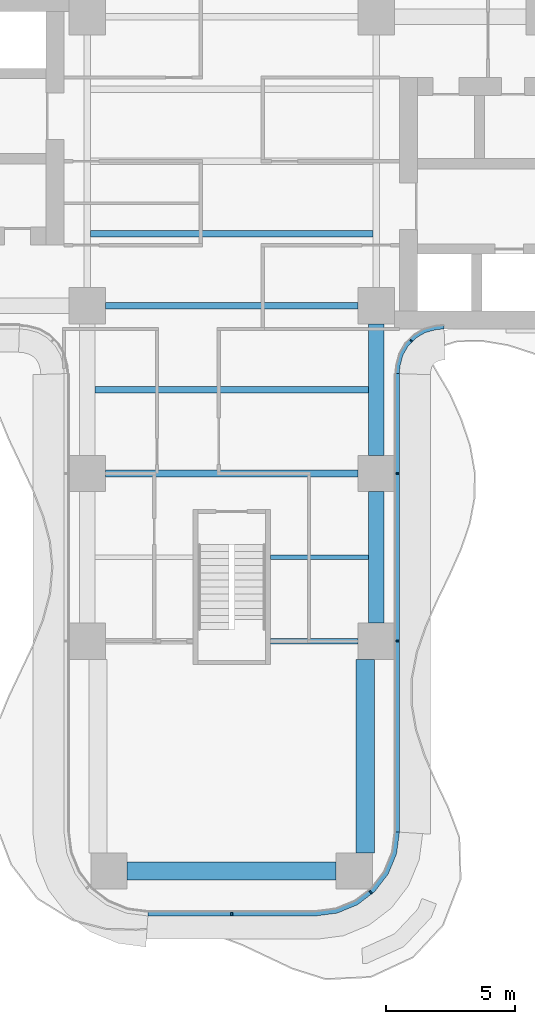
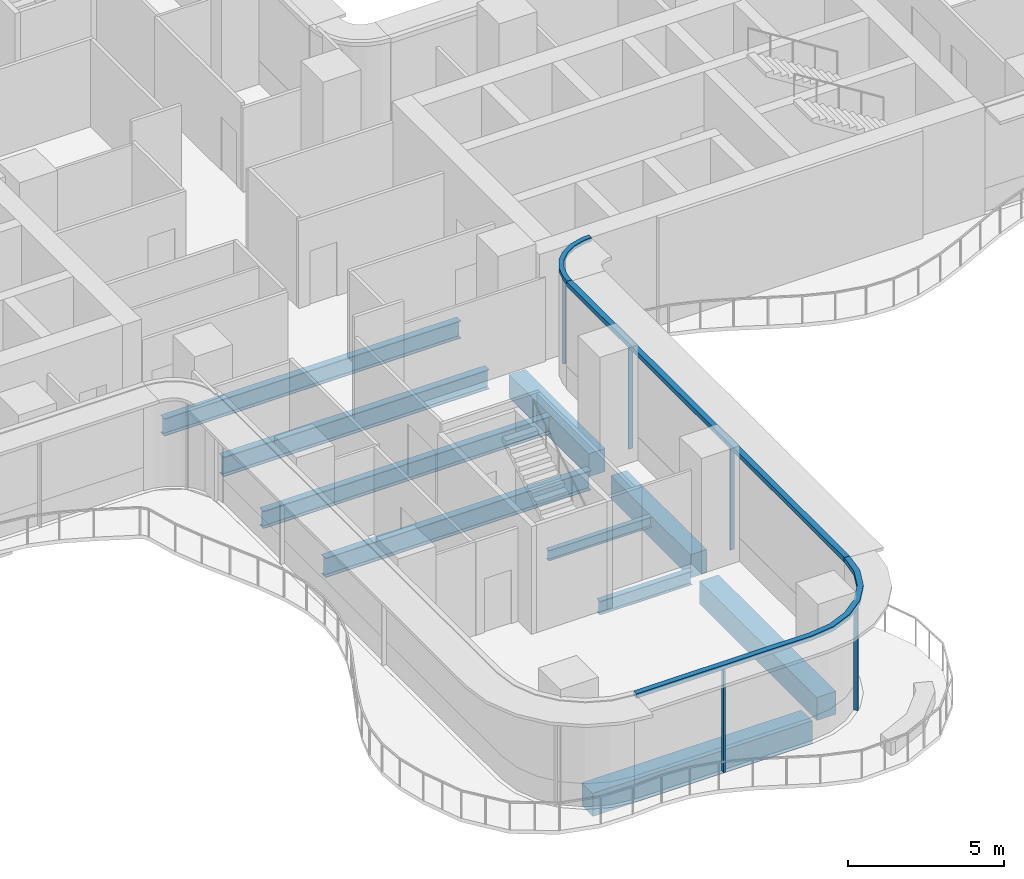
# One storey, part 5 of 22: 10 beams, 8 members, 3 elements without a shape of their own.
"""IFC4 building model written with IfcOpenShell, lengths in metres."""

from ifc_helpers import new_model, si_unit, direction, frame, origin, origin_2d, place, context, subcontext, project, spatial, polyline, rectangle, i_section, outline, extrude, source, transform, mapped, material, layer, layer_set, material_profile, profile_set, type_object, element, aggregate, save


model = new_model("IFC4")

# Units and contexts
model_context = context("Model", 3, precision=1e-05, world=origin(), true_north=direction((0.0, 1.0)))
body_context = subcontext(model_context, "Body", "Model", "MODEL_VIEW")
ifc_project = project(units=[si_unit("LENGTHUNIT", "METRE"), si_unit("AREAUNIT", "SQUARE_METRE"), si_unit("VOLUMEUNIT", "CUBIC_METRE"), si_unit("PLANEANGLEUNIT", "RADIAN"), si_unit("MASSUNIT", "GRAM", prefix="KILO")], contexts=[model_context])

# Site, building, storey
site_placement = place(None, origin())
site = spatial("IfcSite", under=ifc_project, at=site_placement, CompositionType="ELEMENT")
building_placement = place(site_placement, origin())
building = spatial("IfcBuilding", under=site, at=building_placement, Name="Trellis Farm Tower", CompositionType="ELEMENT")
storey_placement = place(building_placement, frame((0.0, 0.0, 88.0)))
storey = spatial("IfcBuildingStorey", under=building, at=storey_placement, Name="L18", CompositionType="ELEMENT", Elevation=88.0)

# Beams
ifc_material_1 = material(Name="Steel S355", Category="steel")
ifc_material_profile_1 = material_profile(ifc_material_1, i_section(OverallWidth=0.253662109375, OverallDepth=0.68359375, WebThickness=0.012451171875, FlangeThickness=0.021728515625, FilletRadius=0.01513671875, at=origin_2d()), Name="UB 686x254x140")
ifc_profile_set_1 = profile_set([ifc_material_profile_1], Name="Steel S355")
beam_type_1 = type_object("IfcBeamType", Name="UB 686x254x140 joist", PredefinedType="JOIST", material=ifc_profile_set_1)
shared_shape_1 = source(origin(), body_context, "Body", "SweptSolid", [
    extrude(i_section(OverallWidth=0.253662109375, OverallDepth=0.68359375, WebThickness=0.012451171875, FlangeThickness=0.021728515625, FilletRadius=0.01513671875, at=origin_2d()), origin(), (0.0, 0.0, 1.0), 10.93310546875),
])
beam_1_placement = place(storey_placement, frame((-5.466552734375, -2.800048828125, -0.591796875), z_axis=(1.0, 0.0, 0.0), x_axis=(0.0, 1.0, 0.0)))
element("IfcBeam", 1, at=beam_1_placement, inside=storey, type_object=beam_type_1, Name="Floor beam", PredefinedType="JOIST", context=body_context, shape_type="MappedRepresentation", body=[
    mapped(shared_shape_1, transform((0.0, 0.0, 0.0))),
])
ifc_material_profile_2 = material_profile(ifc_material_1, i_section(OverallWidth=0.209228515625, OverallDepth=0.533203125, WebThickness=0.010009765625, FlangeThickness=0.015625, FilletRadius=0.0126953125, at=origin_2d()), Name="UB 533x210x92")
ifc_profile_set_2 = profile_set([ifc_material_profile_2], Name="Steel S355")
beam_type_2 = type_object("IfcBeamType", Name="UB 533x210x92", PredefinedType="BEAM", material=ifc_profile_set_2)
shared_shape_2 = source(origin(), body_context, "Body", "SweptSolid", [
    extrude(i_section(OverallWidth=0.209228515625, OverallDepth=0.533203125, WebThickness=0.010009765625, FlangeThickness=0.015625, FilletRadius=0.0126953125, at=origin_2d()), origin(), (0.0, 0.0, 1.0), 3.39990234375),
])
beam_2_placement = place(storey_placement, frame((1.5, -18.60009765625, -0.5166015625), z_axis=(1.0, 0.0, 0.0), x_axis=(0.0, 1.0, 0.0)))
element("IfcBeam", 2, at=beam_2_placement, inside=storey, type_object=beam_type_2, Name="Girder", PredefinedType="BEAM", context=body_context, shape_type="MappedRepresentation", body=[
    mapped(shared_shape_2, transform((0.0, 0.0, 0.0))),
])
ifc_material_2 = material(Name="Concrete C60/75", Category="concrete")
ifc_material_profile_3 = material_profile(ifc_material_2, rectangle(XDim=0.60009765625, YDim=0.89990234375, at=origin_2d()), Name="RC spandrel beam 600x900 C60/75")
ifc_profile_set_3 = profile_set([ifc_material_profile_3], Name="Concrete C60/75")
beam_type_3 = type_object("IfcBeamType", Name="RC spandrel beam 600x900 C60/75", PredefinedType="SPANDREL", material=ifc_profile_set_3)
shared_shape_3 = source(origin(), body_context, "Body", "SweptSolid", [
    extrude(rectangle(XDim=0.60009765625, YDim=0.89990234375, at=origin_2d()), origin(), (0.0, 0.0, 1.0), 5.099853515625),
])
for number, where, z_axis, x_axis, name in (
    (3, (5.60009765625, -17.89990234375, -0.699951171875), (0.0, 1.0, 0.0), (-1.0, 0.0, 0.0), "Girder"),
    (4, (5.60009765625, -11.39990234375, -0.699951171875), (0.0, 1.0, 0.0), (-1.0, 0.0, 0.0), "Girder"),
):
    element("IfcBeam", number, at=place(storey_placement, frame(where, z_axis=z_axis, x_axis=x_axis)), inside=storey, type_object=beam_type_3, Name=name, PredefinedType="SPANDREL", context=body_context, shape_type="MappedRepresentation", body=[
        mapped(shared_shape_3, transform((0.0, 0.0, 0.0))),
    ])
ifc_material_profile_4 = material_profile(ifc_material_1, i_section(OverallWidth=0.2666015625, OverallDepth=0.76220703125, WebThickness=0.014404296875, FlangeThickness=0.021484375, FilletRadius=0.0166015625, at=origin_2d()), Name="UB 762x267x173")
ifc_profile_set_4 = profile_set([ifc_material_profile_4], Name="Steel S355")
beam_type_4 = type_object("IfcBeamType", Name="UB 762x267x173", PredefinedType="BEAM", material=ifc_profile_set_4)
shared_shape_4 = source(origin(), body_context, "Body", "SweptSolid", [
    extrude(i_section(OverallWidth=0.2666015625, OverallDepth=0.76220703125, WebThickness=0.014404296875, FlangeThickness=0.021484375, FilletRadius=0.0166015625, at=origin_2d()), origin(), (0.0, 0.0, 1.0), 9.7998046875),
])
for number, where, z_axis, x_axis, name in (
    (5, (-4.89990234375, -12.10009765625, -0.631103515625), (1.0, 0.0, 0.0), (0.0, 1.0, 0.0), "Girder"),
    (6, (-4.89990234375, -5.60009765625, -0.631103515625), (1.0, 0.0, 0.0), (0.0, 1.0, 0.0), "Girder"),
):
    element("IfcBeam", number, at=place(storey_placement, frame(where, z_axis=z_axis, x_axis=x_axis)), inside=storey, type_object=beam_type_4, Name=name, PredefinedType="BEAM", context=body_context, shape_type="MappedRepresentation", body=[
        mapped(shared_shape_4, transform((0.0, 0.0, 0.0))),
    ])
ifc_material_profile_5 = material_profile(ifc_material_2, rectangle(XDim=0.699951171875, YDim=0.89990234375, at=origin_2d()), Name="RC spandrel beam 700x900 C60/75")
ifc_profile_set_5 = profile_set([ifc_material_profile_5], Name="Concrete C60/75")
beam_type_5 = type_object("IfcBeamType", Name="RC spandrel beam 700x900 C60/75", PredefinedType="SPANDREL", material=ifc_profile_set_5)
shared_shape_5 = source(origin(), body_context, "Body", "SweptSolid", [
    extrude(rectangle(XDim=0.699951171875, YDim=0.89990234375, at=origin_2d()), origin(), (0.0, 0.0, 1.0), 8.10009765625),
])
beam_3_placement = place(storey_placement, frame((-4.050048828125, -27.5, -0.699951171875), z_axis=(1.0, 0.0, 0.0), x_axis=(0.0, 1.0, 0.0)))
element("IfcBeam", 7, at=beam_3_placement, inside=storey, type_object=beam_type_5, Name="Girder", PredefinedType="SPANDREL", context=body_context, shape_type="MappedRepresentation", body=[
    mapped(shared_shape_5, transform((0.0, 0.0, 0.0))),
])
shared_shape_6 = source(origin(), body_context, "Body", "SweptSolid", [
    extrude(rectangle(XDim=0.699951171875, YDim=0.89990234375, at=origin_2d()), origin(), (0.0, 0.0, 1.0), 7.5),
])
beam_4_placement = place(storey_placement, frame((5.175048828125, -26.800048828125, -0.699951171875), z_axis=(0.0, 1.0, 0.0), x_axis=(-1.0, 0.0, 0.0)))
element("IfcBeam", 8, at=beam_4_placement, inside=storey, type_object=beam_type_5, Name="Girder", PredefinedType="SPANDREL", context=body_context, shape_type="MappedRepresentation", body=[
    mapped(shared_shape_6, transform((0.0, 0.0, 0.0))),
])
ifc_material_profile_6 = material_profile(ifc_material_1, i_section(OverallWidth=0.177978515625, OverallDepth=0.406494140625, WebThickness=0.0078125, FlangeThickness=0.0126953125, FilletRadius=0.01025390625, at=origin_2d()), Name="UB 406x178x60")
ifc_profile_set_6 = profile_set([ifc_material_profile_6], Name="Steel S355")
beam_type_6 = type_object("IfcBeamType", Name="UB 406x178x60 joist", PredefinedType="JOIST", material=ifc_profile_set_6)
shared_shape_7 = source(origin(), body_context, "Body", "SweptSolid", [
    extrude(i_section(OverallWidth=0.177978515625, OverallDepth=0.406494140625, WebThickness=0.0078125, FlangeThickness=0.0126953125, FilletRadius=0.01025390625, at=origin_2d()), origin(), (0.0, 0.0, 1.0), 3.800048828125),
])
beam_5_placement = place(storey_placement, frame((1.5, -15.35009765625, -0.453125), z_axis=(1.0, 0.0, 0.0), x_axis=(0.0, 1.0, 0.0)))
element("IfcBeam", 9, at=beam_5_placement, inside=storey, type_object=beam_type_6, Name="Floor beam", PredefinedType="JOIST", context=body_context, shape_type="MappedRepresentation", body=[
    mapped(shared_shape_7, transform((0.0, 0.0, 0.0))),
])
shared_shape_8 = source(origin(), body_context, "Body", "SweptSolid", [
    extrude(i_section(OverallWidth=0.253662109375, OverallDepth=0.68359375, WebThickness=0.012451171875, FlangeThickness=0.021728515625, FilletRadius=0.01513671875, at=origin_2d()), origin(), (0.0, 0.0, 1.0), 10.60009765625),
])
beam_6_placement = place(storey_placement, frame((-5.300048828125, -8.85009765625, -0.591796875), z_axis=(1.0, 0.0, 0.0), x_axis=(0.0, 1.0, 0.0)))
element("IfcBeam", 10, at=beam_6_placement, inside=storey, type_object=beam_type_1, Name="Floor beam", PredefinedType="JOIST", context=body_context, shape_type="MappedRepresentation", body=[
    mapped(shared_shape_8, transform((0.0, 0.0, 0.0))),
])

# Curtain wall, member
ifc_material_3 = material(Name="Aluminium and glass curtain wall", Category="aluminium")
ifc_layer_1 = layer(ifc_material_3, 0.18994140625)
ifc_layer_set_1 = layer_set([ifc_layer_1], Name="RIBBON CURTAIN WALL CW1")
curtain_wall_type_1 = type_object("IfcCurtainWallType", Name="RIBBON CURTAIN WALL CW1", PredefinedType="NOTDEFINED", material=ifc_layer_set_1)
placement_1 = place(storey_placement, origin())
curtain_wall_1 = element("IfcCurtainWall", 11, at=placement_1, inside=storey, type_object=curtain_wall_type_1, Name="CW1 003", PredefinedType="NOTDEFINED")
ifc_material_4 = material(Name="Aluminium extrusion 6063-T6", Category="aluminium")
ifc_layer_2 = layer(ifc_material_4, 0.199951171875)
ifc_layer_set_2 = layer_set([ifc_layer_2], Name="Aluminium extrusion 6063-T6")
member_type_1 = type_object("IfcMemberType", Name="CW1 TRANSOM 200x180", PredefinedType="USERDEFINED", material=ifc_layer_set_2)
shared_shape_9 = source(origin(), body_context, "Body", "SweptSolid", [
    extrude(outline(polyline([(-3.25, -29.25), (3.25, -29.25), (4.091064453125, -29.13916015625), (4.875, -28.814697265625), (5.548095703125, -28.298095703125), (6.064697265625, -27.625), (6.38916015625, -26.841064453125), (6.5, -26.0), (6.300048828125, -25.98681640625), (6.1943359375, -26.7890625), (5.889892578125, -27.524169921875), (5.405517578125, -28.155517578125), (4.774169921875, -28.639892578125), (4.0390625, -28.9443359375), (3.23681640625, -29.050048828125), (-3.23681640625, -29.050048828125), (-3.25, -29.25)])), origin(), (0.0, 0.0, 1.0), 0.179931640625),
])
placement_2 = place(storey_placement, frame((0.0, 0.0, 4.02001953125)))
member_1 = element("IfcMember", 12, at=placement_2, type_object=member_type_1, Name="TR1 003", ObjectType="TRANSOM", PredefinedType="USERDEFINED", context=body_context, shape_type="MappedRepresentation", body=[
    mapped(shared_shape_9, transform((0.0, 0.0, 0.0))),
])

curtain_wall_2 = element("IfcCurtainWall", 13, at=placement_1, inside=storey, type_object=curtain_wall_type_1, Name="CW1 004", PredefinedType="NOTDEFINED")
shared_shape_10 = source(origin(), body_context, "Body", "SweptSolid", [
    extrude(outline(polyline([(6.5, -26.0), (6.5, -8.2314453125), (6.300048828125, -8.224853515625), (6.300048828125, -25.98681640625), (6.5, -26.0)])), origin(), (0.0, 0.0, 1.0), 0.179931640625),
])
member_2 = element("IfcMember", 14, at=placement_2, type_object=member_type_1, Name="TR1 004", ObjectType="TRANSOM", PredefinedType="USERDEFINED", context=body_context, shape_type="MappedRepresentation", body=[
    mapped(shared_shape_10, transform((0.0, 0.0, 0.0))),
])

ifc_layer_3 = layer(ifc_material_3, 0.166015625)
ifc_layer_set_3 = layer_set([ifc_layer_3], Name="WINTER GARDEN CURTAIN WALL CW3")
curtain_wall_type_2 = type_object("IfcCurtainWallType", Name="WINTER GARDEN CURTAIN WALL CW3", PredefinedType="NOTDEFINED", material=ifc_layer_set_3)
curtain_wall_3 = element("IfcCurtainWall", 15, at=placement_1, inside=storey, type_object=curtain_wall_type_2, Name="CW3 002", PredefinedType="NOTDEFINED")
ifc_layer_4 = layer(ifc_material_4, 0.169921875)
ifc_layer_set_4 = layer_set([ifc_layer_4], Name="Aluminium extrusion 6063-T6")
member_type_2 = type_object("IfcMemberType", Name="CW3 TRANSOM 170x150", PredefinedType="USERDEFINED", material=ifc_layer_set_4)
shared_shape_11 = source(origin(), body_context, "Body", "SweptSolid", [
    extrude(outline(polyline([(6.5, -8.2314453125), (6.513916015625, -8.01953125), (6.527587890625, -7.91552734375), (6.63671875, -7.508544921875), (6.846923828125, -7.144287109375), (7.144287109375, -6.846923828125), (7.508544921875, -6.63671875), (7.91552734375, -6.527587890625), (8.01953125, -6.513916015625), (8.2314453125, -6.5), (8.225830078125, -6.330078125), (8.0029296875, -6.3447265625), (7.88232421875, -6.360595703125), (7.44287109375, -6.478271484375), (7.0400390625, -6.7109375), (6.7109375, -7.0400390625), (6.478271484375, -7.44287109375), (6.360595703125, -7.88232421875), (6.3447265625, -8.0029296875), (6.330078125, -8.225830078125), (6.5, -8.2314453125)])), origin(), (0.0, 0.0, 1.0), 0.14990234375),
])
member_3_placement = place(storey_placement, frame((0.0, 0.0, 4.050048828125)))
member_3 = element("IfcMember", 16, at=member_3_placement, type_object=member_type_2, Name="TR3 002", ObjectType="TRANSOM", PredefinedType="USERDEFINED", context=body_context, shape_type="MappedRepresentation", body=[
    mapped(shared_shape_11, transform((0.0, 0.0, 0.0))),
])

# Member
ifc_material_profile_7 = material_profile(ifc_material_4, rectangle(XDim=0.06005859375, YDim=0.14990234375, at=origin_2d()), Name="MULLION 60x150")
ifc_profile_set_7 = profile_set([ifc_material_profile_7], Name="Aluminium extrusion 6063-T6")
member_type_3 = type_object("IfcMemberType", Name="CW1 MULLION 60x150", PredefinedType="MULLION", material=ifc_profile_set_7)
shared_shape_12 = source(origin(), body_context, "Body", "SweptSolid", [
    extrude(rectangle(XDim=0.06005859375, YDim=0.14990234375, at=origin_2d()), origin(), (0.0, 0.0, 1.0), 4.02001953125),
])
member_4_placement = place(storey_placement, frame((0.0, -29.175048828125, 0.0), z_axis=(0.0, 0.0, 1.0), x_axis=(1.0, 0.0, 0.0)))
member_4 = element("IfcMember", 17, at=member_4_placement, type_object=member_type_3, Name="MU1 003-01", PredefinedType="MULLION", context=body_context, shape_type="MappedRepresentation", body=[
    mapped(shared_shape_12, transform((0.0, 0.0, 0.0))),
])

member_5_placement = place(storey_placement, frame((5.385498046875, -28.328369140625, 0.0), z_axis=(0.0, 0.0, 1.0), x_axis=(0.793353340291, 0.608761429009, 0.0)))
member_5 = element("IfcMember", 18, at=member_5_placement, type_object=member_type_3, Name="MU1 003-02", PredefinedType="MULLION", context=body_context, shape_type="MappedRepresentation", body=[
    mapped(shared_shape_12, transform((0.0, 0.0, 0.0))),
])

aggregate(curtain_wall_1, [member_4, member_5, member_1])

member_6_placement = place(storey_placement, frame((6.425048828125, -18.60009765625, 0.0), z_axis=(0.0, 0.0, 1.0), x_axis=(0.0, 1.0, 0.0)))
member_6 = element("IfcMember", 19, at=member_6_placement, type_object=member_type_3, Name="MU1 004-01", PredefinedType="MULLION", context=body_context, shape_type="MappedRepresentation", body=[
    mapped(shared_shape_12, transform((0.0, 0.0, 0.0))),
])

member_7_placement = place(storey_placement, frame((6.425048828125, -12.10009765625, 0.0), z_axis=(0.0, 0.0, 1.0), x_axis=(0.0, 1.0, 0.0)))
member_7 = element("IfcMember", 20, at=member_7_placement, type_object=member_type_3, Name="MU1 004-02", PredefinedType="MULLION", context=body_context, shape_type="MappedRepresentation", body=[
    mapped(shared_shape_12, transform((0.0, 0.0, 0.0))),
])

aggregate(curtain_wall_2, [member_6, member_7, member_2])

ifc_material_profile_8 = material_profile(ifc_material_4, rectangle(XDim=0.050048828125, YDim=0.1201171875, at=origin_2d()), Name="MULLION 50x120")
ifc_profile_set_8 = profile_set([ifc_material_profile_8], Name="Aluminium extrusion 6063-T6")
member_type_4 = type_object("IfcMemberType", Name="CW3 MULLION 50x120", PredefinedType="MULLION", material=ifc_profile_set_8)
shared_shape_13 = source(origin(), body_context, "Body", "SweptSolid", [
    extrude(rectangle(XDim=0.050048828125, YDim=0.1201171875, at=origin_2d()), origin(), (0.0, 0.0, 1.0), 4.050048828125),
])
member_8_placement = place(storey_placement, frame((6.953125, -6.953125, 0.0), z_axis=(0.0, 0.0, 1.0), x_axis=(0.707106781187, 0.707106781187, 0.0)))
member_8 = element("IfcMember", 21, at=member_8_placement, type_object=member_type_4, Name="MU3 002-01", PredefinedType="MULLION", context=body_context, shape_type="MappedRepresentation", body=[
    mapped(shared_shape_13, transform((0.0, 0.0, 0.0))),
])

aggregate(curtain_wall_3, [member_8, member_3])

save(model, "model.ifc")
